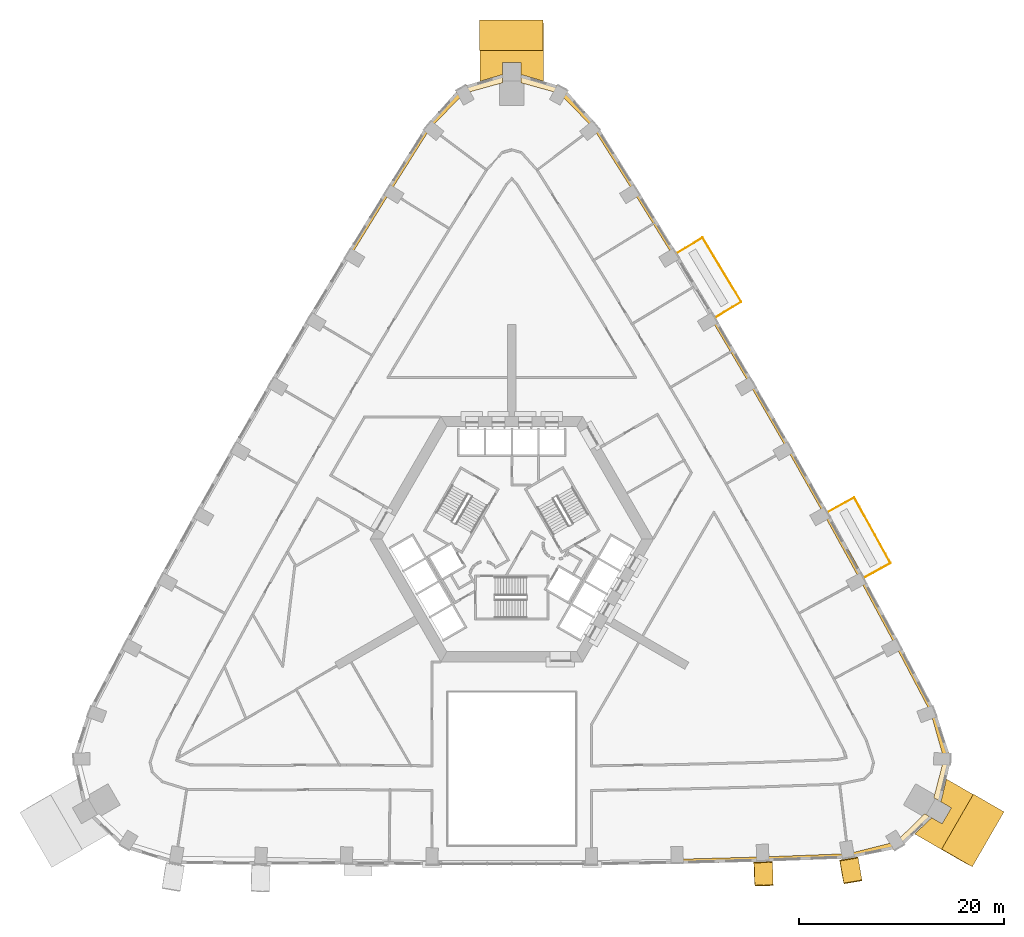
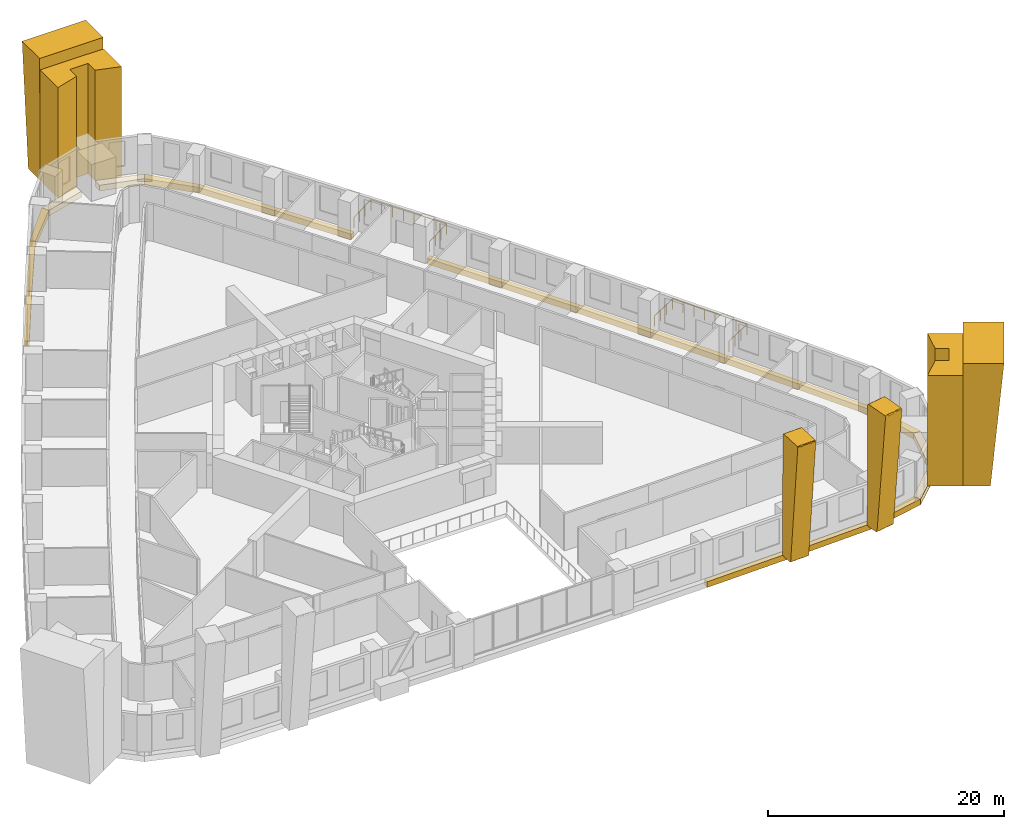
# One storey, part 16 of 16: 26 coverings, 2 railings.
"""IFC4 building model written with IfcOpenShell, lengths in metres."""

from ifc_helpers import new_model, si_unit, direction, frame, origin, origin_2d, place, context, subcontext, project, spatial, polyline, circle, outline, extrude, material, type_object, element, save


model = new_model("IFC4")

# Units and contexts
model_context = context("Model", 3, precision=1e-05, world=origin(), true_north=direction((0.0, 1.0)))
body_context = subcontext(model_context, "Body", "Model", "MODEL_VIEW")
ifc_project = project(units=[si_unit("LENGTHUNIT", "METRE"), si_unit("AREAUNIT", "SQUARE_METRE"), si_unit("VOLUMEUNIT", "CUBIC_METRE"), si_unit("PLANEANGLEUNIT", "RADIAN"), si_unit("MASSUNIT", "GRAM", prefix="KILO")], contexts=[model_context])

# Site, building, storey
site_placement = place(None, origin())
site = spatial("IfcSite", under=ifc_project, at=site_placement, CompositionType="ELEMENT")
building_placement = place(site_placement, origin())
building = spatial("IfcBuilding", under=site, at=building_placement, Name="Entoto Arch Interchange Tower", CompositionType="ELEMENT")
storey_placement = place(building_placement, frame((0.0, 0.0, 60.199951171875)))
storey = spatial("IfcBuildingStorey", under=building, at=storey_placement, Name="L12", CompositionType="ELEMENT", Elevation=60.199951171875)

# Railings
ifc_material_1 = material(Name="Stainless steel 1.4301", Category="steel")
railing_type = type_object("IfcRailingType", Name="GUARD 1100 STEEL AND GLASS", PredefinedType="GUARDRAIL", material=ifc_material_1)
railing_1_placement = place(storey_placement, frame((34.429931640625, -1.264892578125, 0.0)))
element("IfcRailing", 1, at=railing_1_placement, inside=storey, type_object=railing_type, Name="Balcony guard NE-03 L12", PredefinedType="GUARDRAIL", context=body_context, shape_type="SweptSolid", body=[
    extrude(circle(Radius=0.02392578125, at=origin_2d()), frame((0.0, 0.0, 1.076171875), z_axis=(0.875228627808, 0.483709467619, 0.0), x_axis=(-0.483709467619, 0.875228627808, 0.0)), (0.0, 0.0, 1.0), 2.9501953125),
    extrude(circle(Radius=0.02392578125, at=origin_2d()), frame((2.58203125, 1.427001953125, 1.076171875), z_axis=(-0.483595393776, 0.875291662887, 0.0), x_axis=(-0.875291662887, -0.483595393776, 0.0)), (0.0, 0.0, 1.0), 7.32421875),
    extrude(circle(Radius=0.02392578125, at=origin_2d()), frame((-0.9599609375, 7.837890625, 1.076171875), z_axis=(-0.875228627808, -0.483709467619, 0.0), x_axis=(0.483709467619, -0.875228627808, 0.0)), (0.0, 0.0, 1.0), 2.9501953125),
    extrude(circle(Radius=0.02099609375, at=origin_2d()), origin(), (0.0, 0.0, 1.0), 1.052001953125),
    extrude(circle(Radius=0.02099609375, at=origin_2d()), frame((0.860595703125, 0.4755859375, 0.0)), (0.0, 0.0, 1.0), 1.052001953125),
    extrude(circle(Radius=0.02099609375, at=origin_2d()), frame((1.721435546875, 0.951416015625, 0.0)), (0.0, 0.0, 1.0), 1.052001953125),
    extrude(circle(Radius=0.02099609375, at=origin_2d()), frame((2.58203125, 1.427001953125, 0.0)), (0.0, 0.0, 1.0), 1.052001953125),
    extrude(circle(Radius=0.02099609375, at=origin_2d()), frame((2.075927734375, 2.3427734375, 0.0)), (0.0, 0.0, 1.0), 1.052001953125),
    extrude(circle(Radius=0.02099609375, at=origin_2d()), frame((1.570068359375, 3.2587890625, 0.0)), (0.0, 0.0, 1.0), 1.052001953125),
    extrude(circle(Radius=0.02099609375, at=origin_2d()), frame((1.06396484375, 4.174560546875, 0.0)), (0.0, 0.0, 1.0), 1.052001953125),
    extrude(circle(Radius=0.02099609375, at=origin_2d()), frame((0.55810546875, 5.09033203125, 0.0)), (0.0, 0.0, 1.0), 1.052001953125),
    extrude(circle(Radius=0.02099609375, at=origin_2d()), frame((0.052001953125, 6.006103515625, 0.0)), (0.0, 0.0, 1.0), 1.052001953125),
    extrude(circle(Radius=0.02099609375, at=origin_2d()), frame((-0.453857421875, 6.922119140625, 0.0)), (0.0, 0.0, 1.0), 1.052001953125),
    extrude(circle(Radius=0.02099609375, at=origin_2d()), frame((-0.9599609375, 7.837890625, 0.0)), (0.0, 0.0, 1.0), 1.052001953125),
    extrude(circle(Radius=0.02099609375, at=origin_2d()), frame((-1.820556640625, 7.3623046875, 0.0)), (0.0, 0.0, 1.0), 1.052001953125),
    extrude(circle(Radius=0.02099609375, at=origin_2d()), frame((-2.681396484375, 6.886474609375, 0.0)), (0.0, 0.0, 1.0), 1.052001953125),
    extrude(circle(Radius=0.02099609375, at=origin_2d()), frame((-3.5419921875, 6.410888671875, 0.0)), (0.0, 0.0, 1.0), 1.052001953125),
])
railing_2_placement = place(storey_placement, frame((19.89990234375, 24.176025390625, 0.0)))
element("IfcRailing", 2, at=railing_2_placement, inside=storey, type_object=railing_type, Name="Balcony guard NE-07 L12", PredefinedType="GUARDRAIL", context=body_context, shape_type="SweptSolid", body=[
    extrude(circle(Radius=0.02392578125, at=origin_2d()), frame((0.0, 0.0, 1.076171875), z_axis=(0.856491067036, 0.516161846795, 0.0), x_axis=(-0.516161846795, 0.856491067036, 0.0)), (0.0, 0.0, 1.0), 2.950439453125),
    extrude(circle(Radius=0.02392578125, at=origin_2d()), frame((2.527099609375, 1.52294921875, 1.076171875), z_axis=(-0.51616612915, 0.856488486273, 0.0), x_axis=(-0.856488486273, -0.51616612915, 0.0)), (0.0, 0.0, 1.0), 7.3251953125),
    extrude(circle(Radius=0.02392578125, at=origin_2d()), frame((-1.25390625, 7.796875, 1.076171875), z_axis=(-0.856491067036, -0.516161846795, 0.0), x_axis=(0.516161846795, -0.856491067036, 0.0)), (0.0, 0.0, 1.0), 2.950439453125),
    extrude(circle(Radius=0.02099609375, at=origin_2d()), origin(), (0.0, 0.0, 1.0), 1.052001953125),
    extrude(circle(Radius=0.02099609375, at=origin_2d()), frame((0.84228515625, 0.507568359375, 0.0)), (0.0, 0.0, 1.0), 1.052001953125),
    extrude(circle(Radius=0.02099609375, at=origin_2d()), frame((1.684814453125, 1.015380859375, 0.0)), (0.0, 0.0, 1.0), 1.052001953125),
    extrude(circle(Radius=0.02099609375, at=origin_2d()), frame((2.527099609375, 1.52294921875, 0.0)), (0.0, 0.0, 1.0), 1.052001953125),
    extrude(circle(Radius=0.02099609375, at=origin_2d()), frame((1.987060546875, 2.419189453125, 0.0)), (0.0, 0.0, 1.0), 1.052001953125),
    extrude(circle(Radius=0.02099609375, at=origin_2d()), frame((1.44677734375, 3.3154296875, 0.0)), (0.0, 0.0, 1.0), 1.052001953125),
    extrude(circle(Radius=0.02099609375, at=origin_2d()), frame((0.90673828125, 4.211669921875, 0.0)), (0.0, 0.0, 1.0), 1.052001953125),
    extrude(circle(Radius=0.02099609375, at=origin_2d()), frame((0.366455078125, 5.108154296875, 0.0)), (0.0, 0.0, 1.0), 1.052001953125),
    extrude(circle(Radius=0.02099609375, at=origin_2d()), frame((-0.173583984375, 6.00439453125, 0.0)), (0.0, 0.0, 1.0), 1.052001953125),
    extrude(circle(Radius=0.02099609375, at=origin_2d()), frame((-0.7138671875, 6.900634765625, 0.0)), (0.0, 0.0, 1.0), 1.052001953125),
    extrude(circle(Radius=0.02099609375, at=origin_2d()), frame((-1.25390625, 7.796875, 0.0)), (0.0, 0.0, 1.0), 1.052001953125),
    extrude(circle(Radius=0.02099609375, at=origin_2d()), frame((-2.09619140625, 7.289306640625, 0.0)), (0.0, 0.0, 1.0), 1.052001953125),
    extrude(circle(Radius=0.02099609375, at=origin_2d()), frame((-2.938720703125, 6.781494140625, 0.0)), (0.0, 0.0, 1.0), 1.052001953125),
    extrude(circle(Radius=0.02099609375, at=origin_2d()), frame((-3.781005859375, 6.27392578125, 0.0)), (0.0, 0.0, 1.0), 1.052001953125),
])

# Coverings
ifc_material_2 = material(Name="Board-marked precast concrete C50/60", Category="concrete")
covering_type_1 = type_object("IfcCoveringType", Name="PRECAST FRAME COURSE", PredefinedType="CLADDING", material=ifc_material_2)
covering_1_placement = place(storey_placement, frame((0.0, 0.0, -0.39990234375)))
element("IfcCovering", 3, at=covering_1_placement, inside=storey, type_object=covering_type_1, Name="Corner pilaster SE L12-L14", PredefinedType="CLADDING", context=body_context, shape_type="SweptSolid", body=[
    extrude(outline(polyline([(45.095947265625, -22.4560546875), (41.99609375, -27.825927734375), (39.375, -26.31201171875), (41.0439453125, -24.736083984375), (42.055908203125, -25.320068359375), (42.9560546875, -23.761962890625), (41.944091796875, -23.177001953125), (42.47412109375, -20.943115234375), (45.095947265625, -22.4560546875)])), origin(), (0.0, 0.0, 1.0), 11.39990234375),
])
covering_2_placement = place(storey_placement, frame((0.0, 0.0, -0.39990234375)))
element("IfcCovering", 4, at=covering_2_placement, inside=storey, type_object=covering_type_1, Name="Corner pilaster N L12-L14", PredefinedType="CLADDING", context=body_context, shape_type="SweptSolid", body=[
    extrude(outline(polyline([(-3.10009765625, 50.281982421875), (3.10009765625, 50.281982421875), (3.10009765625, 47.2548828125), (0.89990234375, 47.9130859375), (0.89990234375, 49.08203125), (-0.89990234375, 49.08203125), (-0.89990234375, 47.9130859375), (-3.10009765625, 47.2548828125), (-3.10009765625, 50.281982421875)])), origin(), (0.0, 0.0, 1.0), 11.39990234375),
])
covering_3_placement = place(storey_placement, frame((41.99609375, -27.825927734375, -0.39990234375), z_axis=(-0.49999648597, -0.866022216187, 0.003005842341), x_axis=(0.866026128643, -0.499998744506, 9.0358e-08)))
element("IfcCovering", 5, at=covering_3_placement, inside=storey, type_object=covering_type_1, Name="Corner rib SE L12-L14", PredefinedType="CLADDING", context=body_context, shape_type="SweptSolid", body=[
    extrude(outline(polyline([(0.0, 0.0), (2.308231446926002, 0.0), (3.453792014518759, 12.599910124324346), (-0.00019803596212873483, 12.599910644991285), (0.0, 0.0)])), origin(), (0.0, 0.0, -1.0), 6.199951171875),
])
covering_4_placement = place(storey_placement, frame((3.10009765625, 50.281982421875, -0.39990234375), z_axis=(0.999995431587, 0.0, 0.003022714785), x_axis=(0.0, 1.0, 0.0)))
element("IfcCovering", 6, at=covering_4_placement, inside=storey, type_object=covering_type_1, Name="Corner rib N L12-L14", PredefinedType="CLADDING", context=body_context, shape_type="SweptSolid", body=[
    extrude(outline(polyline([(0.0, 0.0), (1.97900390625, 0.0), (2.9609375, 12.599911077219671), (0.0, 12.599911077219671), (0.0, 0.0)])), origin(), (0.0, 0.0, -1.0), 6.199951171875),
])
covering_5_placement = place(storey_placement, frame((23.64599609375, -29.193115234375, -0.39990234375), z_axis=(-0.999428999373, -0.033657746256, 0.002971755293), x_axis=(-0.033190425903, 0.994406039452, 0.100274744226)))
element("IfcCovering", 7, at=covering_5_placement, inside=storey, type_object=covering_type_1, Name="Fold rib S07 L12-L14", PredefinedType="CLADDING", context=body_context, shape_type="SweptSolid", body=[
    extrude(outline(polyline([(0.0, 0.0), (0.029216400715117795, 0.0), (0.05797580569559899, -0.00519886174805068), (0.08513778379774635, -0.016447527702901747), (0.1101433417814278, -0.03306615696200932), (0.13016713739598054, -0.054115260087318304), (0.1468999766596457, -0.07868264488048263), (0.15867349821761523, -0.1054698792760109), (0.16450005266982912, -0.1340827357604216), (1.3976318296900414, -12.372217687163756), (1.3976317862548406, -12.401417177555158), (1.386758085048091, -12.44471918179559), (1.3644923346913325, -12.48205231993806), (1.332119816685331, -12.511569570362415), (1.3065817396403374, -12.526167032896977), (1.2781406322331577, -12.533941667000134), (-0.8092726577291749, -12.745296910555956), (-0.8384890584442926, -12.745296910555957), (-0.8672484634247735, -12.740098048807907), (-0.8944185446582449, -12.728850928300641), (-0.918112303527141, -12.713081719726189), (-0.9393499737015718, -12.69215483199817), (-0.9560583318265097, -12.667830356225494), (-0.9675156350563228, -12.641747405811966), (-0.9741072142349534, -12.598243769839499), (-1.1373812652930366, -0.23731754769313707), (-1.1267748201369894, -0.19379707751167707), (-1.1042662948682558, -0.15643949628974846), (-1.0833144663066292, -0.13518721598481803), (-1.0589433380193536, -0.11874425360419572), (-1.0172841922290616, -0.10350518390735444), (0.0, 0.0)])), origin(), (0.0, 0.0, -1.0), 1.800048828125),
])
covering_6_placement = place(storey_placement, frame((32.049072265625, -29.0029296875, -0.39990234375), z_axis=(-0.985993337559, -0.166757693898, 0.003001635569), x_axis=(-0.165634442594, 0.981144671808, 0.099601026148)))
element("IfcCovering", 8, at=covering_6_placement, inside=storey, type_object=covering_type_1, Name="Fold rib S08 L12-L14", PredefinedType="CLADDING", context=body_context, shape_type="SweptSolid", body=[
    extrude(outline(polyline([(0.0, 0.0), (0.02940639816444595, 4.336808689942018e-19), (0.058564396204645354, -0.005177773943000913), (0.08531023243773322, -0.01648633850375493), (0.11037044490623103, -0.033115805094367394), (0.13086722602996131, -0.05412826959027737), (0.14748667575510915, -0.07871861739679704), (0.15848700941996707, -0.10558673017940881), (0.16425513885680326, -0.13420861080843038), (1.3891166801095591, -12.373173239864656), (1.3889741625996757, -12.402386728813934), (1.379017745825566, -12.445586922885889), (1.3561770918537883, -12.482958880919853), (1.3235546297217176, -12.512477706730781), (1.2973083085342418, -12.527129180643175), (1.26984038296182, -12.534783508571792), (-0.8202070231151695, -12.74497947301606), (-0.8496507680713243, -12.74497945773117), (-0.8776515178409072, -12.739687184375661), (-0.905315065071221, -12.72846926454627), (-0.929319861819059, -12.71271608130849), (-0.9498570810391256, -12.691708390805786), (-0.9729169106035263, -12.6547582607573), (-0.9816969230496206, -12.626684657794172), (-0.9845906052057698, -12.597776520991436), (-1.1363487838801425, -0.23642564182425413), (-1.1310787170019592, -0.20768290664837652), (-1.1194639326494709, -0.1802681126259043), (-1.0934703306455107, -0.14453896530851984), (-1.0574177674212957, -0.11786806039429104), (-1.0161389011592055, -0.10269496106392689), (0.0, 0.0)])), origin(), (0.0, 0.0, -1.0), 1.800048828125),
])
covering_type_2 = type_object("IfcCoveringType", Name="PRECAST LEDGE COURSE", PredefinedType="CLADDING", material=ifc_material_2)
covering_7_placement = place(storey_placement, frame((0.0, 0.0, -1.0)))
element("IfcCovering", 9, at=covering_7_placement, inside=storey, type_object=covering_type_2, Name="Precast course S-06 L12", PredefinedType="CLADDING", context=body_context, shape_type="SweptSolid", body=[
    extrude(outline(polyline([(24.5400390625, -28.551025390625), (24.5400390625, -29.012939453125), (16.169921875, -29.23193359375), (16.169921875, -28.777099609375), (24.5400390625, -28.551025390625)])), origin(), (0.0, 0.0, 1.0), 0.60009765625),
])
covering_8_placement = place(storey_placement, frame((0.0, 0.0, -1.0)))
element("IfcCovering", 10, at=covering_8_placement, inside=storey, type_object=covering_type_2, Name="Precast course S-07 L12", PredefinedType="CLADDING", context=body_context, shape_type="SweptSolid", body=[
    extrude(outline(polyline([(32.910888671875, -28.23193359375), (32.910888671875, -28.705078125), (24.5400390625, -29.012939453125), (24.5400390625, -28.551025390625), (32.910888671875, -28.23193359375)])), origin(), (0.0, 0.0, 1.0), 0.60009765625),
])
covering_9_placement = place(storey_placement, frame((0.0, 0.0, -1.0)))
element("IfcCovering", 11, at=covering_9_placement, inside=storey, type_object=covering_type_2, Name="Precast course SE-01 L12", PredefinedType="CLADDING", context=body_context, shape_type="SweptSolid", body=[
    extrude(outline(polyline([(37.554931640625, -27.075927734375), (37.924072265625, -27.681884765625), (32.910888671875, -28.705078125), (32.910888671875, -28.23193359375), (37.554931640625, -27.075927734375)])), origin(), (0.0, 0.0, 1.0), 0.60009765625),
])
covering_10_placement = place(storey_placement, frame((0.0, 0.0, -1.0)))
element("IfcCovering", 12, at=covering_10_placement, inside=storey, type_object=covering_type_2, Name="Precast course SE-02 L12", PredefinedType="CLADDING", context=body_context, shape_type="SweptSolid", body=[
    extrude(outline(polyline([(40.346923828125, -24.333984375), (41.0439453125, -24.736083984375), (37.924072265625, -27.681884765625), (37.554931640625, -27.075927734375), (40.346923828125, -24.333984375)])), origin(), (0.0, 0.0, 1.0), 0.60009765625),
])
covering_11_placement = place(storey_placement, frame((0.0, 0.0, -1.0)))
element("IfcCovering", 13, at=covering_11_placement, inside=storey, type_object=covering_type_2, Name="Precast course SE-03 L12", PredefinedType="CLADDING", context=body_context, shape_type="SweptSolid", body=[
    extrude(outline(polyline([(42.22607421875, -18.986083984375), (42.93505859375, -19.001953125), (41.944091796875, -23.177001953125), (41.2470703125, -22.77490234375), (42.22607421875, -18.986083984375)])), origin(), (0.0, 0.0, 1.0), 0.60009765625),
])
covering_12_placement = place(storey_placement, frame((0.0, 0.0, -1.0)))
element("IfcCovering", 14, at=covering_12_placement, inside=storey, type_object=covering_type_2, Name="Precast course SE-04 L12", PredefinedType="CLADDING", context=body_context, shape_type="SweptSolid", body=[
    extrude(outline(polyline([(40.94091796875, -14.45703125), (41.387939453125, -14.291015625), (42.93505859375, -19.001953125), (42.22607421875, -18.986083984375), (40.94091796875, -14.45703125)])), origin(), (0.0, 0.0, 1.0), 0.60009765625),
])
covering_13_placement = place(storey_placement, frame((0.0, 0.0, -1.0)))
element("IfcCovering", 15, at=covering_13_placement, inside=storey, type_object=covering_type_2, Name="Precast course NE-01 L12", PredefinedType="CLADDING", context=body_context, shape_type="SweptSolid", body=[
    extrude(outline(polyline([(37.5029296875, -7.927001953125), (37.912109375, -7.7099609375), (41.387939453125, -14.291015625), (40.94091796875, -14.45703125), (37.5029296875, -7.927001953125)])), origin(), (0.0, 0.0, 1.0), 0.60009765625),
])
covering_14_placement = place(storey_placement, frame((0.0, 0.0, -1.0)))
element("IfcCovering", 16, at=covering_14_placement, inside=storey, type_object=covering_type_2, Name="Precast course NE-02 L12", PredefinedType="CLADDING", context=body_context, shape_type="SweptSolid", body=[
    extrude(outline(polyline([(34.028076171875, -1.48291015625), (34.429931640625, -1.264892578125), (37.912109375, -7.7099609375), (37.5029296875, -7.927001953125), (34.028076171875, -1.48291015625)])), origin(), (0.0, 0.0, 1.0), 0.60009765625),
])
covering_15_placement = place(storey_placement, frame((0.0, 0.0, -1.0)))
element("IfcCovering", 17, at=covering_15_placement, inside=storey, type_object=covering_type_2, Name="Precast course NE-03 L12", PredefinedType="CLADDING", context=body_context, shape_type="SweptSolid", body=[
    extrude(outline(polyline([(30.491943359375, 4.925048828125), (30.887939453125, 5.14599609375), (34.429931640625, -1.264892578125), (34.028076171875, -1.48291015625), (30.491943359375, 4.925048828125)])), origin(), (0.0, 0.0, 1.0), 0.60009765625),
])
covering_16_placement = place(storey_placement, frame((0.0, 0.0, -1.0)))
element("IfcCovering", 18, at=covering_16_placement, inside=storey, type_object=covering_type_2, Name="Precast course NE-04 L12", PredefinedType="CLADDING", context=body_context, shape_type="SweptSolid", body=[
    extrude(outline(polyline([(26.89404296875, 11.301025390625), (27.284912109375, 11.52392578125), (30.887939453125, 5.14599609375), (30.491943359375, 4.925048828125), (26.89404296875, 11.301025390625)])), origin(), (0.0, 0.0, 1.0), 0.60009765625),
])
covering_17_placement = place(storey_placement, frame((0.0, 0.0, -1.0)))
element("IfcCovering", 19, at=covering_17_placement, inside=storey, type_object=covering_type_2, Name="Precast course NE-05 L12", PredefinedType="CLADDING", context=body_context, shape_type="SweptSolid", body=[
    extrude(outline(polyline([(23.23388671875, 17.639892578125), (23.623046875, 17.866943359375), (27.284912109375, 11.52392578125), (26.89404296875, 11.301025390625), (23.23388671875, 17.639892578125)])), origin(), (0.0, 0.0, 1.0), 0.60009765625),
])
covering_18_placement = place(storey_placement, frame((0.0, 0.0, -1.0)))
element("IfcCovering", 20, at=covering_18_placement, inside=storey, type_object=covering_type_2, Name="Precast course NE-06 L12", PredefinedType="CLADDING", context=body_context, shape_type="SweptSolid", body=[
    extrude(outline(polyline([(19.511962890625, 23.944091796875), (19.89990234375, 24.176025390625), (23.623046875, 17.866943359375), (23.23388671875, 17.639892578125), (19.511962890625, 23.944091796875)])), origin(), (0.0, 0.0, 1.0), 0.60009765625),
])
covering_19_placement = place(storey_placement, frame((0.0, 0.0, -1.0)))
element("IfcCovering", 21, at=covering_19_placement, inside=storey, type_object=covering_type_2, Name="Precast course NE-08 L12", PredefinedType="CLADDING", context=body_context, shape_type="SweptSolid", body=[
    extrude(outline(polyline([(11.885986328125, 36.44189453125), (12.279052734375, 36.68798828125), (16.118896484375, 30.449951171875), (15.72900390625, 30.2119140625), (11.885986328125, 36.44189453125)])), origin(), (0.0, 0.0, 1.0), 0.60009765625),
])
covering_20_placement = place(storey_placement, frame((0.0, 0.0, -1.0)))
element("IfcCovering", 22, at=covering_20_placement, inside=storey, type_object=covering_type_2, Name="Precast course NE-09 L12", PredefinedType="CLADDING", context=body_context, shape_type="SweptSolid", body=[
    extrude(outline(polyline([(7.950927734375, 42.68505859375), (8.318115234375, 42.988037109375), (12.279052734375, 36.68798828125), (11.885986328125, 36.44189453125), (7.950927734375, 42.68505859375)])), origin(), (0.0, 0.0, 1.0), 0.60009765625),
])
covering_21_placement = place(storey_placement, frame((0.0, 0.0, -1.0)))
element("IfcCovering", 23, at=covering_21_placement, inside=storey, type_object=covering_type_2, Name="Precast course N-01 L12", PredefinedType="CLADDING", context=body_context, shape_type="SweptSolid", body=[
    extrude(outline(polyline([(4.669921875, 46.06103515625), (5.010986328125, 46.68408203125), (8.318115234375, 42.988037109375), (7.950927734375, 42.68505859375), (4.669921875, 46.06103515625)])), origin(), (0.0, 0.0, 1.0), 0.60009765625),
])
covering_22_placement = place(storey_placement, frame((0.0, 0.0, -1.0)))
element("IfcCovering", 24, at=covering_22_placement, inside=storey, type_object=covering_type_2, Name="Precast course N-02 L12", PredefinedType="CLADDING", context=body_context, shape_type="SweptSolid", body=[
    extrude(outline(polyline([(0.89990234375, 47.10791015625), (0.89990234375, 47.9130859375), (5.010986328125, 46.68408203125), (4.669921875, 46.06103515625), (0.89990234375, 47.10791015625)])), origin(), (0.0, 0.0, 1.0), 0.60009765625),
])
covering_23_placement = place(storey_placement, frame((0.0, 0.0, -1.0)))
element("IfcCovering", 25, at=covering_23_placement, inside=storey, type_object=covering_type_2, Name="Precast course N-03 L12", PredefinedType="CLADDING", context=body_context, shape_type="SweptSolid", body=[
    extrude(outline(polyline([(-4.669921875, 46.06103515625), (-5.010986328125, 46.68408203125), (-0.89990234375, 47.9130859375), (-0.89990234375, 47.10791015625), (-4.669921875, 46.06103515625)])), origin(), (0.0, 0.0, 1.0), 0.60009765625),
])
covering_24_placement = place(storey_placement, frame((0.0, 0.0, -1.0)))
element("IfcCovering", 26, at=covering_24_placement, inside=storey, type_object=covering_type_2, Name="Precast course N-04 L12", PredefinedType="CLADDING", context=body_context, shape_type="SweptSolid", body=[
    extrude(outline(polyline([(-7.950927734375, 42.68505859375), (-8.318115234375, 42.988037109375), (-5.010986328125, 46.68408203125), (-4.669921875, 46.06103515625), (-7.950927734375, 42.68505859375)])), origin(), (0.0, 0.0, 1.0), 0.60009765625),
])
covering_25_placement = place(storey_placement, frame((0.0, 0.0, -1.0)))
element("IfcCovering", 27, at=covering_25_placement, inside=storey, type_object=covering_type_2, Name="Precast course NW-01 L12", PredefinedType="CLADDING", context=body_context, shape_type="SweptSolid", body=[
    extrude(outline(polyline([(-11.885986328125, 36.44189453125), (-12.279052734375, 36.68798828125), (-8.318115234375, 42.988037109375), (-7.950927734375, 42.68505859375), (-11.885986328125, 36.44189453125)])), origin(), (0.0, 0.0, 1.0), 0.60009765625),
])
covering_26_placement = place(storey_placement, frame((0.0, 0.0, -1.0)))
element("IfcCovering", 28, at=covering_26_placement, inside=storey, type_object=covering_type_2, Name="Precast course NW-02 L12", PredefinedType="CLADDING", context=body_context, shape_type="SweptSolid", body=[
    extrude(outline(polyline([(-15.72900390625, 30.2119140625), (-16.118896484375, 30.449951171875), (-12.279052734375, 36.68798828125), (-11.885986328125, 36.44189453125), (-15.72900390625, 30.2119140625)])), origin(), (0.0, 0.0, 1.0), 0.60009765625),
])

save(model, "model.ifc")
